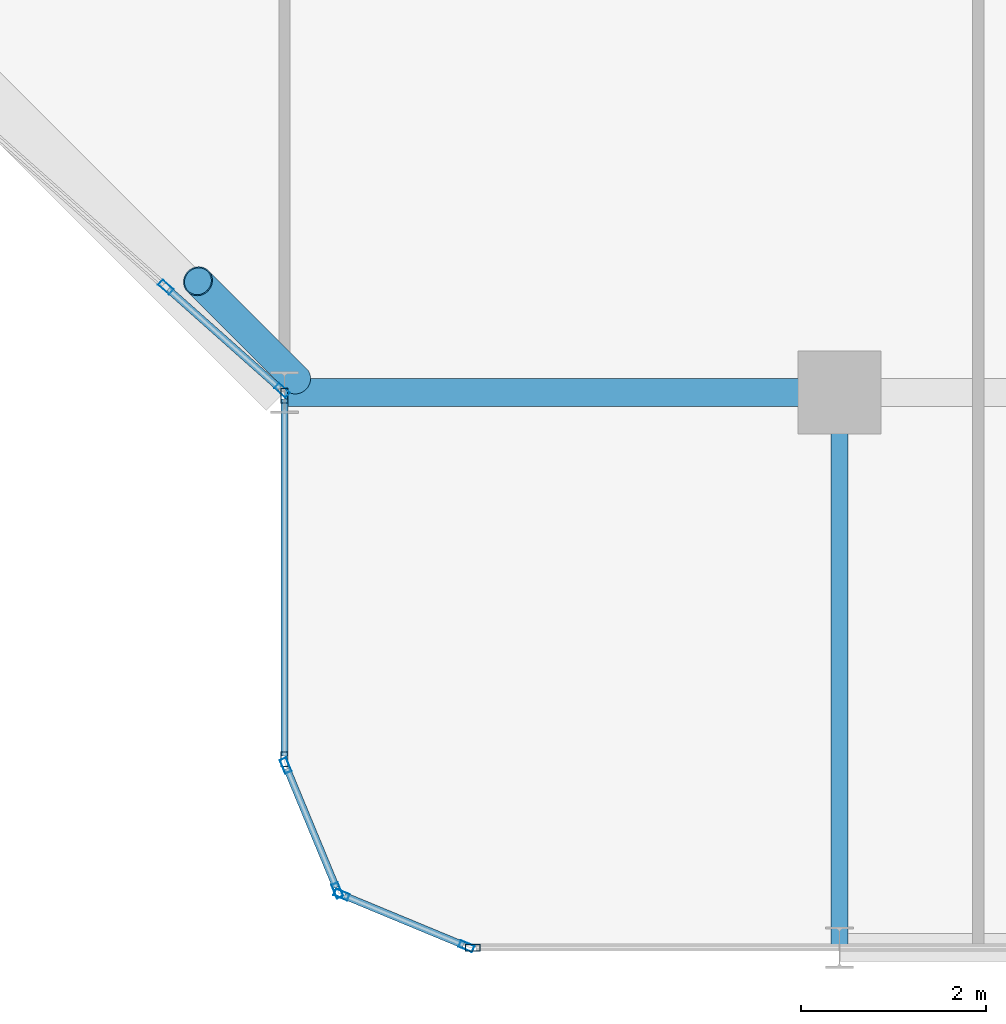
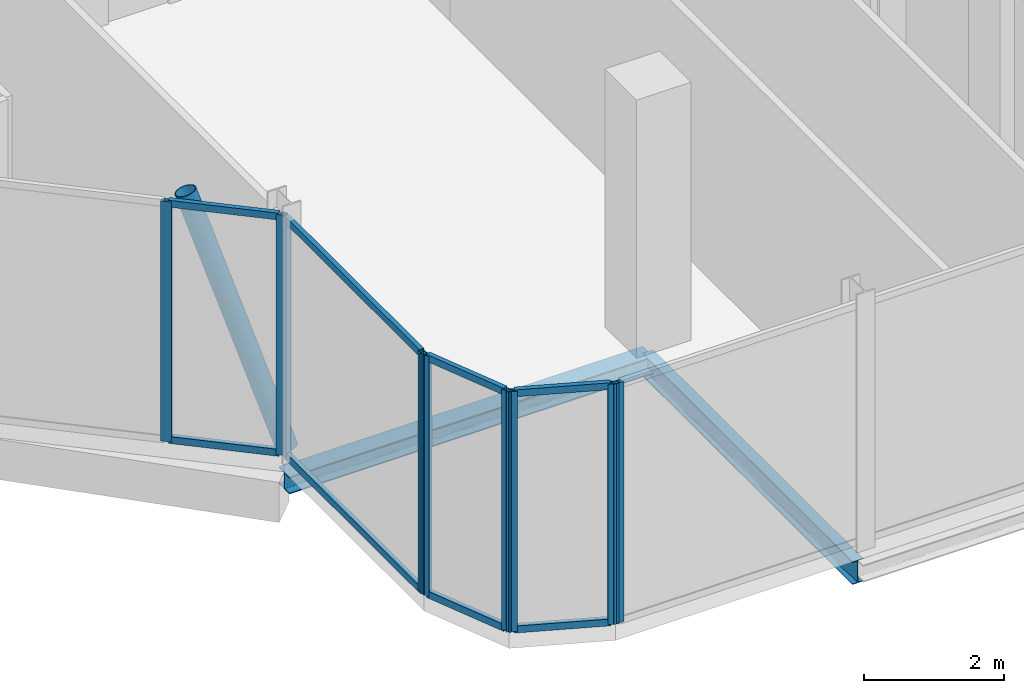
# One storey, part 5 of 28: 18 members, 2 beams, 5 elements without a shape of their own.
"""IFC4 building model written with IfcOpenShell, lengths in metres."""

from ifc_helpers import new_model, si_unit, direction, frame, origin, origin_2d, place, context, subcontext, project, spatial, hollow_rectangle, hollow_circle, i_section, extrude, material, layer, layer_set, material_profile, profile_set, type_object, element, aggregate, save


model = new_model("IFC4")

# Units and contexts
model_context = context("Model", 3, precision=1e-05, world=origin(), true_north=direction((0.0, 1.0)))
body_context = subcontext(model_context, "Body", "Model", "MODEL_VIEW")
ifc_project = project(units=[si_unit("LENGTHUNIT", "METRE"), si_unit("AREAUNIT", "SQUARE_METRE"), si_unit("VOLUMEUNIT", "CUBIC_METRE"), si_unit("PLANEANGLEUNIT", "RADIAN"), si_unit("MASSUNIT", "GRAM", prefix="KILO")], contexts=[model_context])

# Site, building, storey
site_placement = place(None, origin())
site = spatial("IfcSite", under=ifc_project, at=site_placement, CompositionType="ELEMENT")
building_placement = place(site_placement, origin())
building = spatial("IfcBuilding", under=site, at=building_placement, Name="Keshet Zoharim Tower", CompositionType="ELEMENT")
storey_placement = place(building_placement, frame((0.0, 0.0, 164.60009765625)))
storey = spatial("IfcBuildingStorey", under=building, at=storey_placement, Name="L40", CompositionType="ELEMENT", Elevation=164.60009765625)

# Beams
ifc_material_1 = material(Name="Steel S355", Category="steel")
ifc_material_profile_1 = material_profile(ifc_material_1, i_section(OverallWidth=0.300048828125, OverallDepth=0.300048828125, WebThickness=0.010986328125, FlangeThickness=0.01904296875, FilletRadius=0.027099609375, at=origin_2d()), Name="HEB300")
ifc_profile_set_1 = profile_set([ifc_material_profile_1], Name="Steel S355")
beam_type_1 = type_object("IfcBeamType", Name="BM-PRI-HB300", PredefinedType="BEAM", material=ifc_profile_set_1)
beam_1_placement = place(storey_placement, frame((21.0, 6.699951171875, -0.460205078125), z_axis=(1.0, 0.0, 0.0), x_axis=(0.0, 1.0, 0.0)))
element("IfcBeam", 1, at=beam_1_placement, inside=storey, type_object=beam_type_1, Name="L40 Primary Girder X-005", PredefinedType="BEAM", context=body_context, shape_type="SweptSolid", body=[
    extrude(i_section(OverallWidth=0.300048828125, OverallDepth=0.300048828125, WebThickness=0.010986328125, FlangeThickness=0.01904296875, FilletRadius=0.027099609375, at=origin_2d()), origin(), (0.0, 0.0, 1.0), 6.0),
])
ifc_material_profile_2 = material_profile(ifc_material_1, i_section(OverallWidth=0.179931640625, OverallDepth=0.39990234375, WebThickness=0.008544921875, FlangeThickness=0.013427734375, FilletRadius=0.02099609375, at=origin_2d()), Name="IPE400")
ifc_profile_set_2 = profile_set([ifc_material_profile_2], Name="Steel S355")
beam_type_2 = type_object("IfcBeamType", Name="BM-PRI-IP400", PredefinedType="BEAM", material=ifc_profile_set_2)
beam_2_placement = place(storey_placement, frame((27.0, 0.699951171875, -0.510009765625), z_axis=(0.0, 1.0, 0.0), x_axis=(-1.0, 0.0, 0.0)))
element("IfcBeam", 2, at=beam_2_placement, inside=storey, type_object=beam_type_2, Name="L40 Primary Girder Y-004", PredefinedType="BEAM", context=body_context, shape_type="SweptSolid", body=[
    extrude(i_section(OverallWidth=0.179931640625, OverallDepth=0.39990234375, WebThickness=0.008544921875, FlangeThickness=0.013427734375, FilletRadius=0.02099609375, at=origin_2d()), origin(), (0.0, 0.0, 1.0), 6.0),
])

# Curtain wall, member
ifc_material_2 = material(Name="Aluminium 6063-T6", Category="aluminium")
ifc_layer = layer(ifc_material_2, 0.139892578125)
ifc_layer_set = layer_set([ifc_layer], Name="Aluminium 6063-T6")
curtain_wall_type = type_object("IfcCurtainWallType", Name="CW-SYS-05", PredefinedType="NOTDEFINED", material=ifc_layer_set)
curtain_wall_1_placement = place(storey_placement, origin())
curtain_wall_1 = element("IfcCurtainWall", 3, at=curtain_wall_1_placement, inside=storey, type_object=curtain_wall_type, Name="L40 Unitised Curtain Wall 06 Part 3", PredefinedType="NOTDEFINED")
ifc_material_profile_3 = material_profile(ifc_material_2, hollow_rectangle(XDim=0.074951171875, YDim=0.159912109375, WallThickness=0.00390625, at=origin_2d()), Name="MUL-75x160")
ifc_profile_set_3 = profile_set([ifc_material_profile_3], Name="Aluminium 6063-T6")
member_type_1 = type_object("IfcMemberType", Name="CWM-M15", PredefinedType="MULLION", material=ifc_profile_set_3)
member_1_placement = place(storey_placement, frame((23.034912109375, 0.699951171875, 0.0), z_axis=(0.0, 0.0, 1.0), x_axis=(0.0, -1.0, 0.0)))
member_1 = element("IfcMember", 4, at=member_1_placement, type_object=member_type_1, Name="CW-05 mullion 3", PredefinedType="MULLION", context=body_context, shape_type="SweptSolid", body=[
    extrude(hollow_rectangle(XDim=0.074951171875, YDim=0.159912109375, WallThickness=0.00390625, at=origin_2d()), origin(), (0.0, 0.0, 1.0), 4.18994140625),
])
aggregate(curtain_wall_1, [member_1])

# Curtain wall, members
curtain_wall_2_placement = place(storey_placement, origin())
curtain_wall_2 = element("IfcCurtainWall", 5, at=curtain_wall_2_placement, inside=storey, type_object=curtain_wall_type, Name="L40 Unitised Curtain Wall 07", PredefinedType="NOTDEFINED")
member_2_placement = place(storey_placement, frame((22.9677734375, 0.71337890625, 0.0), z_axis=(0.0, 0.0, 1.0), x_axis=(-0.382851849847, -0.92380975372, 0.0)))
member_2 = element("IfcMember", 6, at=member_2_placement, type_object=member_type_1, Name="CW-05 mullion 1", PredefinedType="MULLION", context=body_context, shape_type="SweptSolid", body=[
    extrude(hollow_rectangle(XDim=0.074951171875, YDim=0.159912109375, WallThickness=0.00390625, at=origin_2d()), origin(), (0.0, 0.0, 1.0), 4.18994140625),
])
member_3_placement = place(storey_placement, frame((21.618408203125, 1.272705078125, 0.0), z_axis=(0.0, 0.0, 1.0), x_axis=(-0.382851849847, -0.92380975372, 0.0)))
member_3 = element("IfcMember", 7, at=member_3_placement, type_object=member_type_1, Name="CW-05 mullion 2", PredefinedType="MULLION", context=body_context, shape_type="SweptSolid", body=[
    extrude(hollow_rectangle(XDim=0.074951171875, YDim=0.159912109375, WallThickness=0.00390625, at=origin_2d()), origin(), (0.0, 0.0, 1.0), 4.18994140625),
])

curtain_wall_3_placement = place(storey_placement, origin())
curtain_wall_3 = element("IfcCurtainWall", 8, at=curtain_wall_3_placement, inside=storey, type_object=curtain_wall_type, Name="L40 Unitised Curtain Wall 08", PredefinedType="NOTDEFINED")
member_4_placement = place(storey_placement, frame((21.572509765625, 1.318359375, 0.0), z_axis=(0.0, 0.0, 1.0), x_axis=(-0.92380975372, -0.382851849847, 0.0)))
member_4 = element("IfcMember", 9, at=member_4_placement, type_object=member_type_1, Name="CW-05 mullion 1", PredefinedType="MULLION", context=body_context, shape_type="SweptSolid", body=[
    extrude(hollow_rectangle(XDim=0.074951171875, YDim=0.159912109375, WallThickness=0.00390625, at=origin_2d()), origin(), (0.0, 0.0, 1.0), 4.18994140625),
])
member_5_placement = place(storey_placement, frame((21.013427734375, 2.667724609375, 0.0), z_axis=(0.0, 0.0, 1.0), x_axis=(-0.92380975372, -0.382851849847, 0.0)))
member_5 = element("IfcMember", 10, at=member_5_placement, type_object=member_type_1, Name="CW-05 mullion 2", PredefinedType="MULLION", context=body_context, shape_type="SweptSolid", body=[
    extrude(hollow_rectangle(XDim=0.074951171875, YDim=0.159912109375, WallThickness=0.00390625, at=origin_2d()), origin(), (0.0, 0.0, 1.0), 4.18994140625),
])

curtain_wall_4_placement = place(storey_placement, origin())
curtain_wall_4 = element("IfcCurtainWall", 11, at=curtain_wall_4_placement, inside=storey, type_object=curtain_wall_type, Name="L40 Unitised Curtain Wall 09", PredefinedType="NOTDEFINED")
member_6_placement = place(storey_placement, frame((21.0, 2.735107421875, 0.0), z_axis=(0.0, 0.0, 1.0), x_axis=(-1.0, 0.0, 0.0)))
member_6 = element("IfcMember", 12, at=member_6_placement, type_object=member_type_1, Name="CW-05 mullion 1", PredefinedType="MULLION", context=body_context, shape_type="SweptSolid", body=[
    extrude(hollow_rectangle(XDim=0.074951171875, YDim=0.159912109375, WallThickness=0.00390625, at=origin_2d()), origin(), (0.0, 0.0, 1.0), 4.18994140625),
])
member_7_placement = place(storey_placement, frame((21.0, 6.6650390625, 0.0), z_axis=(0.0, 0.0, 1.0), x_axis=(-1.0, 0.0, 0.0)))
member_7 = element("IfcMember", 13, at=member_7_placement, type_object=member_type_1, Name="CW-05 mullion 2", PredefinedType="MULLION", context=body_context, shape_type="SweptSolid", body=[
    extrude(hollow_rectangle(XDim=0.074951171875, YDim=0.159912109375, WallThickness=0.00390625, at=origin_2d()), origin(), (0.0, 0.0, 1.0), 4.18994140625),
])

curtain_wall_5_placement = place(storey_placement, origin())
curtain_wall_5 = element("IfcCurtainWall", 14, at=curtain_wall_5_placement, inside=storey, type_object=curtain_wall_type, Name="L40 Unitised Curtain Wall 10", PredefinedType="NOTDEFINED")
member_8_placement = place(storey_placement, frame((20.973876953125, 6.72314453125, 0.0), z_axis=(0.0, 0.0, 1.0), x_axis=(-0.664356747495, -0.747415622032, 0.0)))
member_8 = element("IfcMember", 15, at=member_8_placement, type_object=member_type_1, Name="CW-05 mullion 1", PredefinedType="MULLION", context=body_context, shape_type="SweptSolid", body=[
    extrude(hollow_rectangle(XDim=0.074951171875, YDim=0.159912109375, WallThickness=0.00390625, at=origin_2d()), origin(), (0.0, 0.0, 1.0), 4.18994140625),
])
member_9_placement = place(storey_placement, frame((19.7177734375, 7.83984375, 0.0), z_axis=(0.0, 0.0, 1.0), x_axis=(-0.664356747495, -0.747415622032, 0.0)))
member_9 = element("IfcMember", 16, at=member_9_placement, type_object=member_type_1, Name="CW-05 mullion 2", PredefinedType="MULLION", context=body_context, shape_type="SweptSolid", body=[
    extrude(hollow_rectangle(XDim=0.074951171875, YDim=0.159912109375, WallThickness=0.00390625, at=origin_2d()), origin(), (0.0, 0.0, 1.0), 4.18994140625),
])

# Member
ifc_material_profile_4 = material_profile(ifc_material_2, hollow_rectangle(XDim=0.074951171875, YDim=0.1201171875, WallThickness=0.00390625, at=origin_2d()), Name="TRN-75x120")
ifc_profile_set_4 = profile_set([ifc_material_profile_4], Name="Aluminium 6063-T6")
member_type_2 = type_object("IfcMemberType", Name="CWT-T12", PredefinedType="USERDEFINED", material=ifc_profile_set_4)
member_10_placement = place(storey_placement, frame((22.935302734375, 0.726806640625, 0.034912109375), z_axis=(-0.92379209995, 0.382894445076, 0.0), x_axis=(-0.382894445076, -0.92379209995, 0.0)))
member_10 = element("IfcMember", 17, at=member_10_placement, type_object=member_type_2, Name="CW-05 transom 1.1", ObjectType="TRANSOM", PredefinedType="USERDEFINED", context=body_context, shape_type="SweptSolid", body=[
    extrude(hollow_rectangle(XDim=0.074951171875, YDim=0.1201171875, WallThickness=0.00390625, at=origin_2d()), origin(), (0.0, 0.0, 1.0), 1.390625),
])

member_11_placement = place(storey_placement, frame((22.935302734375, 0.726806640625, 4.15478515625), z_axis=(-0.92379209995, 0.382894445076, 0.0), x_axis=(-0.382894445076, -0.92379209995, 0.0)))
member_11 = element("IfcMember", 18, at=member_11_placement, type_object=member_type_2, Name="CW-05 transom 1.2", ObjectType="TRANSOM", PredefinedType="USERDEFINED", context=body_context, shape_type="SweptSolid", body=[
    extrude(hollow_rectangle(XDim=0.074951171875, YDim=0.1201171875, WallThickness=0.00390625, at=origin_2d()), origin(), (0.0, 0.0, 1.0), 1.390625),
])

aggregate(curtain_wall_2, [member_2, member_3, member_10, member_11])

member_12_placement = place(storey_placement, frame((21.55908203125, 1.3505859375, 0.034912109375), z_axis=(-0.382744609247, 0.923854189844, 0.0), x_axis=(-0.923854189844, -0.382744609247, 0.0)))
member_12 = element("IfcMember", 19, at=member_12_placement, type_object=member_type_2, Name="CW-05 transom 1.1", ObjectType="TRANSOM", PredefinedType="USERDEFINED", context=body_context, shape_type="SweptSolid", body=[
    extrude(hollow_rectangle(XDim=0.074951171875, YDim=0.1201171875, WallThickness=0.00390625, at=origin_2d()), origin(), (0.0, 0.0, 1.0), 1.390625),
])

member_13_placement = place(storey_placement, frame((21.55908203125, 1.3505859375, 4.15478515625), z_axis=(-0.382744609247, 0.923854189844, 0.0), x_axis=(-0.923854189844, -0.382744609247, 0.0)))
member_13 = element("IfcMember", 20, at=member_13_placement, type_object=member_type_2, Name="CW-05 transom 1.2", ObjectType="TRANSOM", PredefinedType="USERDEFINED", context=body_context, shape_type="SweptSolid", body=[
    extrude(hollow_rectangle(XDim=0.074951171875, YDim=0.1201171875, WallThickness=0.00390625, at=origin_2d()), origin(), (0.0, 0.0, 1.0), 1.390625),
])

aggregate(curtain_wall_3, [member_4, member_5, member_12, member_13])

member_14_placement = place(storey_placement, frame((21.0, 2.77001953125, 0.034912109375), z_axis=(0.0, 1.0, 0.0), x_axis=(-1.0, 0.0, 0.0)))
member_14 = element("IfcMember", 21, at=member_14_placement, type_object=member_type_2, Name="CW-05 transom 1.1", ObjectType="TRANSOM", PredefinedType="USERDEFINED", context=body_context, shape_type="SweptSolid", body=[
    extrude(hollow_rectangle(XDim=0.074951171875, YDim=0.1201171875, WallThickness=0.00390625, at=origin_2d()), origin(), (0.0, 0.0, 1.0), 3.85986328125),
])

member_15_placement = place(storey_placement, frame((21.0, 2.77001953125, 4.15478515625), z_axis=(0.0, 1.0, 0.0), x_axis=(-1.0, 0.0, 0.0)))
member_15 = element("IfcMember", 22, at=member_15_placement, type_object=member_type_2, Name="CW-05 transom 1.2", ObjectType="TRANSOM", PredefinedType="USERDEFINED", context=body_context, shape_type="SweptSolid", body=[
    extrude(hollow_rectangle(XDim=0.074951171875, YDim=0.1201171875, WallThickness=0.00390625, at=origin_2d()), origin(), (0.0, 0.0, 1.0), 3.85986328125),
])

aggregate(curtain_wall_4, [member_6, member_7, member_14, member_15])

member_16_placement = place(storey_placement, frame((20.94775390625, 6.74658203125, 0.034912109375), z_axis=(-0.747492948921, 0.664269742886, 0.0), x_axis=(-0.664269742886, -0.747492948921, 0.0)))
member_16 = element("IfcMember", 23, at=member_16_placement, type_object=member_type_2, Name="CW-05 transom 1.1", ObjectType="TRANSOM", PredefinedType="USERDEFINED", context=body_context, shape_type="SweptSolid", body=[
    extrude(hollow_rectangle(XDim=0.074951171875, YDim=0.1201171875, WallThickness=0.00390625, at=origin_2d()), origin(), (0.0, 0.0, 1.0), 1.610595703125),
])

member_17_placement = place(storey_placement, frame((20.94775390625, 6.74658203125, 4.15478515625), z_axis=(-0.747492948921, 0.664269742886, 0.0), x_axis=(-0.664269742886, -0.747492948921, 0.0)))
member_17 = element("IfcMember", 24, at=member_17_placement, type_object=member_type_2, Name="CW-05 transom 1.2", ObjectType="TRANSOM", PredefinedType="USERDEFINED", context=body_context, shape_type="SweptSolid", body=[
    extrude(hollow_rectangle(XDim=0.074951171875, YDim=0.1201171875, WallThickness=0.00390625, at=origin_2d()), origin(), (0.0, 0.0, 1.0), 1.610595703125),
])

aggregate(curtain_wall_5, [member_8, member_9, member_16, member_17])

ifc_material_profile_5 = material_profile(ifc_material_1, hollow_circle(Radius=0.161865234375, WallThickness=0.012451171875, at=origin_2d()), Name="CHS323x12.5")
ifc_profile_set_5 = profile_set([ifc_material_profile_5], Name="Steel S355")
member_type_3 = type_object("IfcMemberType", Name="MB-BR-C323", PredefinedType="BRACE", material=ifc_profile_set_5)
member_18_placement = place(storey_placement, frame((21.1259765625, 6.842041015625, 0.0), z_axis=(-0.23840657493, 0.23840657493, 0.941448145179), x_axis=(-0.707106781187, -0.707106781187, 0.0)))
element("IfcMember", 25, at=member_18_placement, inside=storey, type_object=member_type_3, Name="L40 Perimeter Tube Brace 01", PredefinedType="BRACE", context=body_context, shape_type="SweptSolid", body=[
    extrude(hollow_circle(Radius=0.161865234375, WallThickness=0.012451171875, at=origin_2d()), origin(), (0.0, 0.0, 1.0), 4.450439453125),
])

save(model, "model.ifc")
